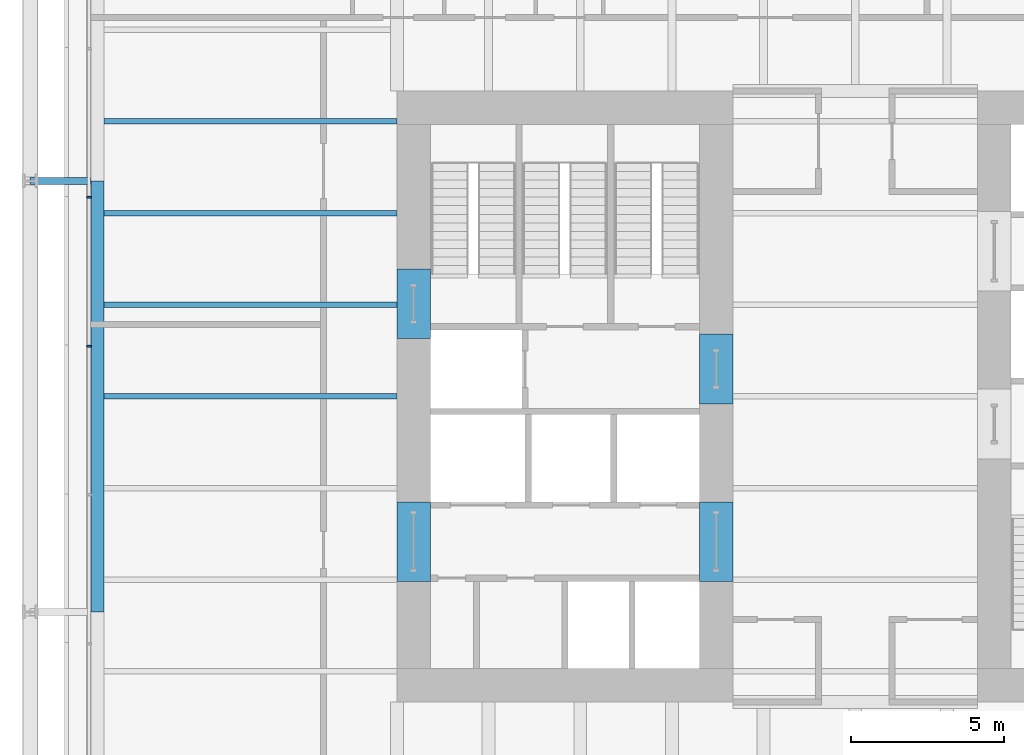
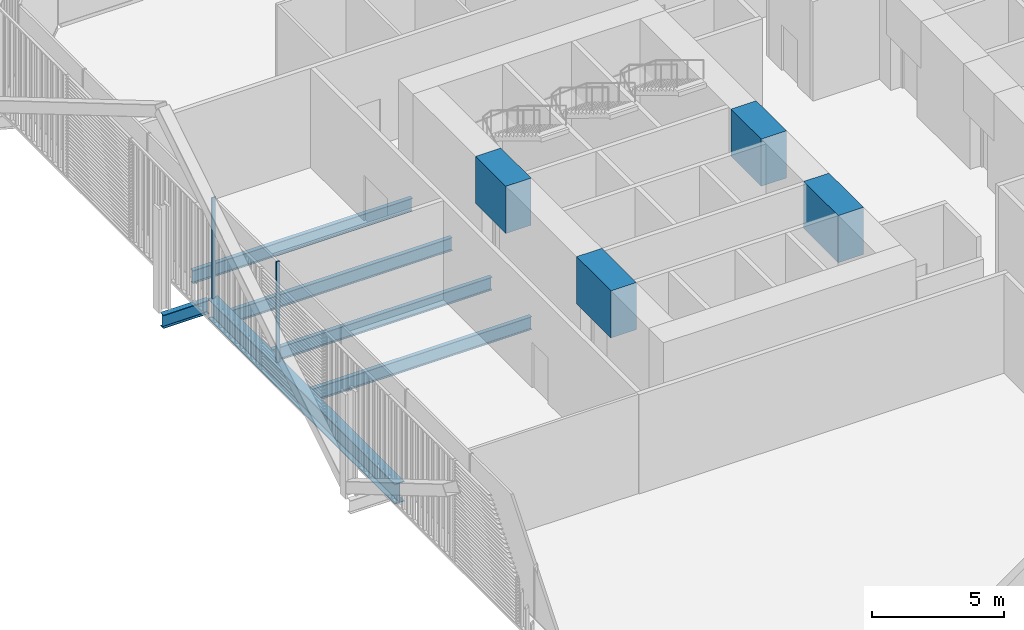
# One storey, part 9 of 26: 10 beams, 2 members, 1 element without a shape of its own.
"""IFC4 building model written with IfcOpenShell, lengths in metres."""

from ifc_helpers import new_model, si_unit, direction, frame, origin, origin_2d, place, context, subcontext, project, spatial, rectangle, i_section, extrude, material, layer, layer_set, material_profile, profile_set, type_object, element, aggregate, save


model = new_model("IFC4")

# Units and contexts
model_context = context("Model", 3, precision=1e-05, world=origin(), true_north=direction((0.0, 1.0)))
body_context = subcontext(model_context, "Body", "Model", "MODEL_VIEW")
ifc_project = project(units=[si_unit("LENGTHUNIT", "METRE"), si_unit("AREAUNIT", "SQUARE_METRE"), si_unit("VOLUMEUNIT", "CUBIC_METRE"), si_unit("PLANEANGLEUNIT", "RADIAN"), si_unit("MASSUNIT", "GRAM", prefix="KILO")], contexts=[model_context])

# Site, building, storey
site_placement = place(None, origin())
site = spatial("IfcSite", under=ifc_project, at=site_placement, CompositionType="ELEMENT")
building_placement = place(site_placement, origin())
building = spatial("IfcBuilding", under=site, at=building_placement, Name="Millrace Tower", CompositionType="ELEMENT")
storey_placement = place(building_placement, frame((0.0, 0.0, 11.300048828125)))
storey = spatial("IfcBuildingStorey", under=building, at=storey_placement, Name="L03", CompositionType="ELEMENT", Elevation=11.300048828125)

# Curtain wall, members
ifc_material_1 = material(Name="Aluminium and glass", Category="aluminium")
ifc_layer = layer(ifc_material_1, 0.14990234375)
ifc_layer_set = layer_set([ifc_layer], Name="Aluminium and glass")
curtain_wall_type = type_object("IfcCurtainWallType", Name="CW-2 data hall insulated curtain wall", PredefinedType="NOTDEFINED", material=ifc_layer_set)
curtain_wall_placement = place(storey_placement, origin())
curtain_wall = element("IfcCurtainWall", 1, at=curtain_wall_placement, inside=storey, type_object=curtain_wall_type, Name="Curtain wall AW3-F06 L03", PredefinedType="NOTDEFINED")
ifc_material_2 = material(Name="Aluminium", Category="aluminium")
ifc_material_profile_1 = material_profile(ifc_material_2, rectangle(XDim=0.06494140625, YDim=0.14990234375, at=origin_2d()))
ifc_profile_set_1 = profile_set([ifc_material_profile_1], Name="Aluminium")
member_type = type_object("IfcMemberType", Name="CW-2 data hall insulated curtain wall mullion", PredefinedType="MULLION", material=ifc_profile_set_1)
member_1_placement = place(storey_placement, frame((-25.074951171875, 6.512939453125, 0.159912109375), z_axis=(0.0, 0.0, 1.0), x_axis=(0.0, -1.0, 0.0)))
member_1 = element("IfcMember", 2, at=member_1_placement, type_object=member_type, Name="CW2 mullion AW3-F06.4", PredefinedType="MULLION", context=body_context, shape_type="SweptSolid", body=[
    extrude(rectangle(XDim=0.06494140625, YDim=0.14990234375, at=origin_2d()), origin(), (0.0, 0.0, 1.0), 4.64013671875),
])
member_2_placement = place(storey_placement, frame((-25.074951171875, 1.644775390625, 0.159912109375), z_axis=(0.0, 0.0, 1.0), x_axis=(0.0, -1.0, 0.0)))
member_2 = element("IfcMember", 3, at=member_2_placement, type_object=member_type, Name="CW2 mullion AW3-F06.5", PredefinedType="MULLION", context=body_context, shape_type="SweptSolid", body=[
    extrude(rectangle(XDim=0.06494140625, YDim=0.14990234375, at=origin_2d()), origin(), (0.0, 0.0, 1.0), 4.64013671875),
])
aggregate(curtain_wall, [member_1, member_2])

# Beams
ifc_material_3 = material(Name="Concrete C80", Category="concrete")
ifc_material_profile_2 = material_profile(ifc_material_3, rectangle(XDim=1.10009765625, YDim=2.175048828125, at=origin_2d()))
ifc_profile_set_2 = profile_set([ifc_material_profile_2], Name="Concrete C80")
beam_type_1 = type_object("IfcBeamType", Name="Coupling beam 1100 x 2175 Concrete C80, 1300 opening", PredefinedType="BEAM", material=ifc_profile_set_2)
beam_1_placement = place(storey_placement, frame((-14.449951171875, 1.88818359375, 3.487548828125), z_axis=(0.0, 1.0, 0.0), x_axis=(-1.0, 0.0, 0.0)))
element("IfcBeam", 4, at=beam_1_placement, inside=storey, type_object=beam_type_1, Name="Coupling beam W L03", PredefinedType="BEAM", context=body_context, shape_type="SweptSolid", body=[
    extrude(rectangle(XDim=1.10009765625, YDim=2.175048828125, at=origin_2d()), origin(), (0.0, 0.0, 1.0), 2.28369140625),
])
beam_2_placement = place(storey_placement, frame((-4.550048828125, -0.241943359375, 3.487548828125), z_axis=(0.0, 1.0, 0.0), x_axis=(-1.0, 0.0, 0.0)))
element("IfcBeam", 5, at=beam_2_placement, inside=storey, type_object=beam_type_1, Name="Coupling beam W L03", PredefinedType="BEAM", context=body_context, shape_type="SweptSolid", body=[
    extrude(rectangle(XDim=1.10009765625, YDim=2.175048828125, at=origin_2d()), origin(), (0.0, 0.0, 1.0), 2.283935546875),
])
ifc_material_4 = material(Name="Concrete C80", Category="concrete")
ifc_material_profile_3 = material_profile(ifc_material_4, rectangle(XDim=1.10009765625, YDim=2.175048828125, at=origin_2d()))
ifc_profile_set_3 = profile_set([ifc_material_profile_3], Name="Concrete C80")
beam_type_2 = type_object("IfcBeamType", Name="Coupling beam 1100 x 2175 Concrete C80, 2000 opening", PredefinedType="BEAM", material=ifc_profile_set_3)
for number, where, z_axis, x_axis, name in (
    (6, (-14.449951171875, -6.050048828125, 3.487548828125), (0.0, 1.0, 0.0), (-1.0, 0.0, 0.0), "Coupling beam W L03"),
    (7, (-4.550048828125, -6.050048828125, 3.487548828125), (0.0, 1.0, 0.0), (-1.0, 0.0, 0.0), "Coupling beam W L03"),
):
    element("IfcBeam", number, at=place(storey_placement, frame(where, z_axis=z_axis, x_axis=x_axis)), inside=storey, type_object=beam_type_2, Name=name, PredefinedType="BEAM", context=body_context, shape_type="SweptSolid", body=[
        extrude(rectangle(XDim=1.10009765625, YDim=2.175048828125, at=origin_2d()), origin(), (0.0, 0.0, 1.0), 2.60009765625),
    ])
ifc_material_5 = material(Name="Steel ASTM A992 Grade 50", Category="steel")
ifc_material_profile_4 = material_profile(ifc_material_5, i_section(OverallWidth=0.1787109375, OverallDepth=0.60205078125, WebThickness=0.010986328125, FlangeThickness=0.014892578125, FilletRadius=0.0126953125, at=origin_2d()))
ifc_profile_set_4 = profile_set([ifc_material_profile_4], Name="Steel ASTM A992 Grade 50")
beam_type_3 = type_object("IfcBeamType", Name="Floor beam W24x62", PredefinedType="JOIST", material=ifc_profile_set_4)
for number, where, z_axis, x_axis, name in (
    (8, (-24.578369140625, 0.0, -0.526123046875), (1.0, 0.0, 0.0), (0.0, 1.0, 0.0), "BM-A-L03-S1-S027"),
    (9, (-24.578369140625, 3.0, -0.526123046875), (1.0, 0.0, 0.0), (0.0, 1.0, 0.0), "BM-A-L03-S1-S030"),
    (10, (-24.578369140625, 6.0, -0.526123046875), (1.0, 0.0, 0.0), (0.0, 1.0, 0.0), "BM-A-L03-S1-S033"),
    (11, (-24.578369140625, 9.0, -0.526123046875), (1.0, 0.0, 0.0), (0.0, 1.0, 0.0), "BM-A-L03-S1-S036"),
):
    element("IfcBeam", number, at=place(storey_placement, frame(where, z_axis=z_axis, x_axis=x_axis)), inside=storey, type_object=beam_type_3, Name=name, PredefinedType="JOIST", context=body_context, shape_type="SweptSolid", body=[
        extrude(i_section(OverallWidth=0.1787109375, OverallDepth=0.60205078125, WebThickness=0.010986328125, FlangeThickness=0.014892578125, FilletRadius=0.0126953125, at=origin_2d()), origin(), (0.0, 0.0, 1.0), 9.578369140625),
    ])
ifc_material_6 = material(Name="Steel ASTM A992 Grade 50", Category="steel")
ifc_material_profile_5 = material_profile(ifc_material_6, i_section(OverallWidth=0.23046875, OverallDepth=0.6171875, WebThickness=0.01318359375, FlangeThickness=0.022216796875, FilletRadius=0.012939453125, at=origin_2d()))
ifc_profile_set_5 = profile_set([ifc_material_profile_5], Name="Steel ASTM A992 Grade 50")
beam_type_4 = type_object("IfcBeamType", Name="Link beam W24x94", PredefinedType="BEAM", material=ifc_profile_set_5)
beam_3_placement = place(storey_placement, frame((-25.0, 7.050048828125, -0.53369140625), z_axis=(-1.0, 0.0, 0.0), x_axis=(0.0, -1.0, 0.0)))
element("IfcBeam", 12, at=beam_3_placement, inside=storey, type_object=beam_type_4, Name="LNK-A-L03-S1-04", PredefinedType="BEAM", context=body_context, shape_type="SweptSolid", body=[
    extrude(i_section(OverallWidth=0.23046875, OverallDepth=0.6171875, WebThickness=0.01318359375, FlangeThickness=0.022216796875, FilletRadius=0.012939453125, at=origin_2d()), origin(), (0.0, 0.0, 1.0), 2.0),
])
ifc_material_7 = material(Name="Steel ASTM A992 Grade 50", Category="steel")
ifc_material_profile_6 = material_profile(ifc_material_7, i_section(OverallWidth=0.421630859375, OverallDepth=0.937255859375, WebThickness=0.021240234375, FlangeThickness=0.03662109375, FilletRadius=0.024169921875, at=origin_2d()))
ifc_profile_set_6 = profile_set([ifc_material_profile_6], Name="Steel ASTM A992 Grade 50")
beam_type_5 = type_object("IfcBeamType", Name="Ring beam medium span W36x262", PredefinedType="SPANDREL", material=ifc_profile_set_6)
beam_4_placement = place(storey_placement, frame((-24.7890625, -7.050048828125, -0.693603515625), z_axis=(0.0, 1.0, 0.0), x_axis=(-1.0, 0.0, 0.0)))
element("IfcBeam", 13, at=beam_4_placement, inside=storey, type_object=beam_type_5, Name="RNG-A-L03-S1-03", PredefinedType="SPANDREL", context=body_context, shape_type="SweptSolid", body=[
    extrude(i_section(OverallWidth=0.421630859375, OverallDepth=0.937255859375, WebThickness=0.021240234375, FlangeThickness=0.03662109375, FilletRadius=0.024169921875, at=origin_2d()), origin(), (0.0, 0.0, 1.0), 14.10009765625),
])

save(model, "model.ifc")
